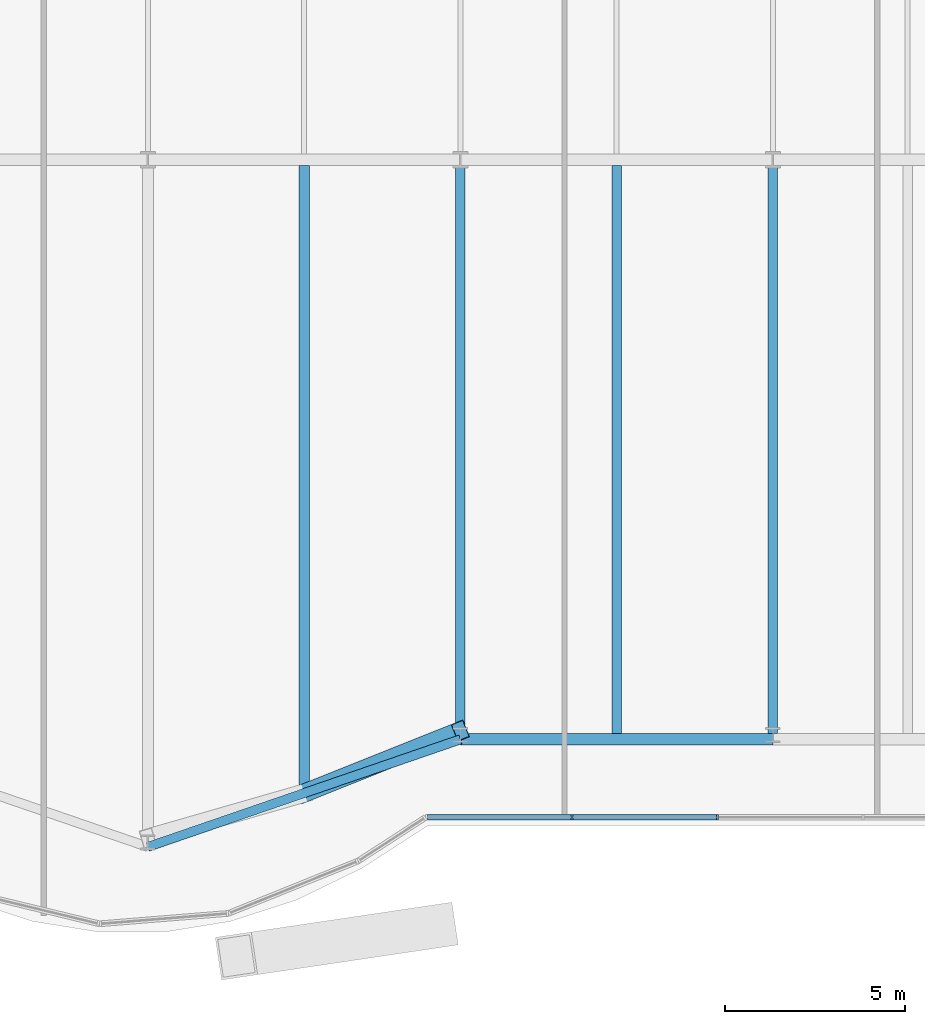
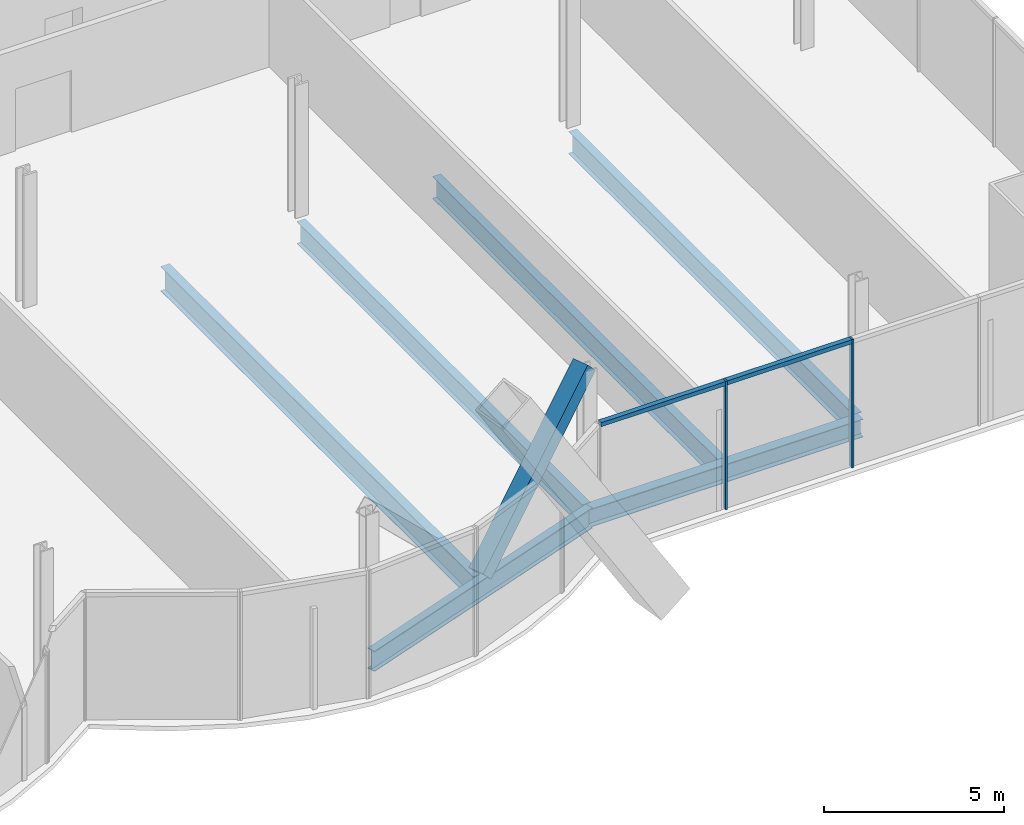
# One storey, part 9 of 23: 6 beams, 5 members, 1 element without a shape of its own.
"""IFC4 building model written with IfcOpenShell, lengths in metres."""

import ifcopenshell
import ifcopenshell.guid

model = None  # the IFC model being written
_history = None  # IfcOwnerHistory: only IFC2X3 demands one
_inside = {}  # id of a spatial element -> (the spatial element, [elements in it])
_under = {}  # id of a project, library or spatial element -> (it, [spatial elements below it])
_declared = {}  # id of a project -> (the project, [libraries it declares])
_typed = {}  # id of a type object -> (the type object, [elements of that type])
_made_of = {}  # id of a material, layer set ... -> (it, [elements and type objects made of it])


def new_model(schema):
    """Start an empty IFC model of exactly this schema.

    Asked for "IFC4X3", IfcOpenShell would pick the latest addendum, in which some entities
    have other attributes; the version numbers below select the first issue.
    IFC2X3 requires an IfcOwnerHistory on every rooted entity: one is made here for all.
    """
    global model, _history
    if schema == "IFC4X3":
        model = ifcopenshell.file(schema_version=(4, 3, 0, 0))
    else:
        model = ifcopenshell.file(schema=schema)
    _inside.clear()
    _under.clear()
    _declared.clear()
    _typed.clear()
    _made_of.clear()
    _history = None
    if model.schema == "IFC2X3":
        org = make("IfcOrganization", Name="unknown")
        user = make(
            "IfcPersonAndOrganization",
            ThePerson=make("IfcPerson", FamilyName="unknown"),
            TheOrganization=org,
        )
        app = make(
            "IfcApplication",
            ApplicationDeveloper=org,
            Version="unknown",
            ApplicationFullName="unknown",
            ApplicationIdentifier="unknown",
        )
        _history = make(
            "IfcOwnerHistory",
            OwningUser=user,
            OwningApplication=app,
            ChangeAction="ADDED",
            CreationDate=0,
        )
    return model


def make(cls, **values):
    """One entity of the class cls with the attributes given. An attribute that is None is left unset."""
    return model.create_entity(
        cls, **{name: value for name, value in values.items() if value is not None}
    )


def rooted(cls, **values):
    """An entity with a GlobalId (a new one), such as an element, a storey or a relation."""
    return make(cls, GlobalId=ifcopenshell.guid.new(), OwnerHistory=_history, **values)


def si_unit(unit_type, name, prefix=None):
    """IfcSIUnit, for example si_unit("LENGTHUNIT", "METRE", prefix="MILLI")."""
    return make("IfcSIUnit", UnitType=unit_type, Prefix=prefix, Name=name)


def assignment(units):
    """IfcUnitAssignment: the units of a project."""
    return None if units is None else make("IfcUnitAssignment", Units=units)


def point(xyz):
    """IfcCartesianPoint."""
    return None if xyz is None else make("IfcCartesianPoint", Coordinates=xyz)


def direction(xyz):
    """IfcDirection."""
    return None if xyz is None else make("IfcDirection", DirectionRatios=xyz)


def frame(location, z_axis=None, x_axis=None):
    """IfcAxis2Placement3D, a coordinate frame: its origin and axes. An axis left out is left unset."""
    return make(
        "IfcAxis2Placement3D",
        Location=point(location),
        Axis=direction(z_axis),
        RefDirection=direction(x_axis),
    )


def frame_2d(location, x_axis=None):
    """IfcAxis2Placement2D, a coordinate frame in the plane: its origin and x axis."""
    return make(
        "IfcAxis2Placement2D", Location=point(location), RefDirection=direction(x_axis)
    )


def origin():
    """The frame at (0, 0, 0) with its axes left unset."""
    return frame((0.0, 0.0, 0.0))


def origin_2d():
    """The frame at (0, 0) in the plane with its x axis left unset."""
    return frame_2d((0.0, 0.0))


def place(relative_to, where):
    """IfcLocalPlacement: puts the frame where relative to a parent placement (None: the world)."""
    return make(
        "IfcLocalPlacement", PlacementRelTo=relative_to, RelativePlacement=where
    )


def context(
    kind, dimensions, precision=None, world=None, true_north=None, identifier=None
):
    """IfcGeometricRepresentationContext, for example the 3D "Model" context."""
    return make(
        "IfcGeometricRepresentationContext",
        ContextIdentifier=identifier,
        ContextType=kind,
        CoordinateSpaceDimension=dimensions,
        Precision=precision,
        WorldCoordinateSystem=world,
        TrueNorth=true_north,
    )


def subcontext(parent, identifier, kind, view, scale=None):
    """IfcGeometricRepresentationSubContext, for example "Body" below "Model"."""
    return make(
        "IfcGeometricRepresentationSubContext",
        ContextIdentifier=identifier,
        ContextType=kind,
        ParentContext=parent,
        TargetScale=scale,
        TargetView=view,
    )


def project(units=None, contexts=None):
    """IfcProject with its units and contexts."""
    return rooted(
        "IfcProject",
        Name="project",
        RepresentationContexts=contexts,
        UnitsInContext=assignment(units),
    )


def spatial(cls, under=None, at=None, **own):
    """A site, building, storey or space (cls), placed at a placement, below another one or the project."""
    s = rooted(cls, ObjectPlacement=at, **own)
    if under is not None:
        _under.setdefault(under.id(), (under, []))[1].append(s)
    return s


def profile(cls, at=None, kind="AREA", **sizes):
    """A parametric profile (cls). Its sizes go by their IFC names, for example OverallWidth=200.0."""
    return make(cls, ProfileType=kind, Position=at, **sizes)


def rectangle(**sizes):
    """IfcRectangleProfileDef."""
    return profile("IfcRectangleProfileDef", **sizes)


def hollow_rectangle(**sizes):
    """IfcRectangleHollowProfileDef."""
    return profile("IfcRectangleHollowProfileDef", **sizes)


def i_section(**sizes):
    """IfcIShapeProfileDef."""
    return profile("IfcIShapeProfileDef", **sizes)


def extrude(swept, where, along, depth):
    """IfcExtrudedAreaSolid: the profile swept, set in the frame where, extruded along a direction by depth."""
    return make(
        "IfcExtrudedAreaSolid",
        SweptArea=swept,
        Position=where,
        ExtrudedDirection=direction(along),
        Depth=depth,
    )


def shape(context_of_items, identifier, shape_type, items):
    """IfcShapeRepresentation: the items that make up one representation, for example the "Body"."""
    return make(
        "IfcShapeRepresentation",
        ContextOfItems=context_of_items,
        RepresentationIdentifier=identifier,
        RepresentationType=shape_type,
        Items=items,
    )


def material(Name=None, Category=None):
    """IfcMaterial."""
    return make("IfcMaterial", Name=Name, Category=Category)


def material_profile(
    of_material, cross_section, Name=None, Category=None, Priority=None
):
    """IfcMaterialProfile: a cross section and its material."""
    return make(
        "IfcMaterialProfile",
        Name=Name,
        Material=of_material,
        Profile=cross_section,
        Priority=Priority,
        Category=Category,
    )


def profile_set(profiles, Name=None, composite=None):
    """IfcMaterialProfileSet."""
    return make(
        "IfcMaterialProfileSet",
        Name=Name,
        MaterialProfiles=profiles,
        CompositeProfile=composite,
    )


def made_of(thing, what):
    """Note that an element or type object is made of a material, layer set ...; save() writes the relation."""
    if what is not None:
        _made_of.setdefault(what.id(), (what, []))[1].append(thing)
    return thing


def type_object(cls, material=None, **own):
    """A type object (cls), such as IfcWallType, which elements share."""
    return made_of(rooted(cls, **own), material)


def element(
    cls,
    number,
    at=None,
    inside=None,
    cuts=None,
    type_object=None,
    material=None,
    context=None,
    identifier="Body",
    shape_type=None,
    held_by="IfcProductDefinitionShape",
    body=None,
    shapes=None,
    **own,
):
    """One element of the class cls, such as IfcWall. Its Tag is "e" and its number.

    at: its placement. inside: the storey or other place that contains it. cuts: it is an
    opening in that element (IfcRelVoidsElement). A single representation is given by context,
    identifier, shape_type and body (its items); several are given by shapes. held_by: the class
    of the entity that holds the representations. save() writes the other relations.
    """
    e = rooted(cls, Tag="e%d" % number, ObjectPlacement=at, **own)
    if body is not None:
        shapes = [shape(context, identifier, shape_type, body)]
    if shapes is not None:
        e.Representation = make(held_by, Representations=shapes)
    if inside is not None:
        _inside.setdefault(inside.id(), (inside, []))[1].append(e)
    if cuts is not None:
        rooted(
            "IfcRelVoidsElement", RelatingBuildingElement=cuts, RelatedOpeningElement=e
        )
    if type_object is not None:
        _typed.setdefault(type_object.id(), (type_object, []))[1].append(e)
    return made_of(e, material)


def aggregate(whole, parts):
    """IfcRelAggregates: a whole, such as a stair, and the parts it consists of."""
    return rooted("IfcRelAggregates", RelatingObject=whole, RelatedObjects=parts)


def save(model, path):
    """Write the relations noted so far, then the file.

    IfcRelAggregates (storeys below a building ...), IfcRelContainedInSpatialStructure (elements
    in a storey), IfcRelDefinesByType, IfcRelAssociatesMaterial and IfcRelDeclares: one each for
    every whole, place, type object, material and project.
    """
    for whole, parts in _under.values():
        aggregate(whole, parts)
    for where, things in _inside.values():
        rooted(
            "IfcRelContainedInSpatialStructure",
            RelatedElements=things,
            RelatingStructure=where,
        )
    for kind, things in _typed.values():
        rooted("IfcRelDefinesByType", RelatedObjects=things, RelatingType=kind)
    for what, things in _made_of.values():
        rooted("IfcRelAssociatesMaterial", RelatedObjects=things, RelatingMaterial=what)
    for by, libraries in _declared.values():
        rooted("IfcRelDeclares", RelatingContext=by, RelatedDefinitions=libraries)
    model.write(path)


model = new_model("IFC4")

# Units and contexts
model_context = context("Model", 3, precision=1e-05, world=origin(), true_north=direction((0.0, 1.0)))
body_context = subcontext(model_context, "Body", "Model", "MODEL_VIEW")
ifc_project = project(units=[si_unit("LENGTHUNIT", "METRE"), si_unit("AREAUNIT", "SQUARE_METRE"), si_unit("VOLUMEUNIT", "CUBIC_METRE"), si_unit("PLANEANGLEUNIT", "RADIAN"), si_unit("MASSUNIT", "GRAM", prefix="KILO")], contexts=[model_context])

# Site, building, storey
site_placement = place(None, origin())
site = spatial("IfcSite", under=ifc_project, at=site_placement, CompositionType="ELEMENT")
building_placement = place(site_placement, origin())
building = spatial("IfcBuilding", under=site, at=building_placement, Name="Bicima Exchange Tower", CompositionType="ELEMENT")
storey_placement = place(building_placement, frame((0.0, 0.0, 62.0)))
storey = spatial("IfcBuildingStorey", under=building, at=storey_placement, Name="L12", CompositionType="ELEMENT", Elevation=62.0)

# Beams
ifc_material_1 = material(Name="Steel ASTM A992 Gr 50", Category="steel")
ifc_material_profile_1 = material_profile(ifc_material_1, i_section(OverallWidth=0.2666015625, OverallDepth=0.75439453125, WebThickness=0.01318359375, FlangeThickness=0.01708984375, at=origin_2d()))
ifc_profile_set_1 = profile_set([ifc_material_profile_1], Name="Steel ASTM A992 Gr 50")
beam_type_1 = type_object("IfcBeamType", Name="Floor beam W30x99", PredefinedType="JOIST", material=ifc_profile_set_1)
beam_1_placement = place(storey_placement, frame((17.39990234375, -22.16259765625, -0.527099609375), z_axis=(0.0, -1.0, 0.0), x_axis=(1.0, 0.0, 0.0)))
element("IfcBeam", 1, at=beam_1_placement, inside=storey, type_object=beam_type_1, Name="Floor beam", PredefinedType="JOIST", context=body_context, shape_type="SweptSolid", body=[
    extrude(i_section(OverallWidth=0.2666015625, OverallDepth=0.75439453125, WebThickness=0.01318359375, FlangeThickness=0.01708984375, at=origin_2d()), origin(), (0.0, 0.0, 1.0), 15.837890625),
])
for number, where, z_axis, x_axis, name in (
    (2, (21.75, -22.16259765625, -0.527099609375), (0.0, -1.0, 0.0), (1.0, 0.0, 0.0), "Floor beam"),
    (3, (26.10009765625, -22.16259765625, -0.527099609375), (0.0, -1.0, 0.0), (1.0, 0.0, 0.0), "Floor beam"),
):
    element("IfcBeam", number, at=place(storey_placement, frame(where, z_axis=z_axis, x_axis=x_axis)), inside=storey, type_object=beam_type_1, Name=name, PredefinedType="JOIST", context=body_context, shape_type="SweptSolid", body=[
        extrude(i_section(OverallWidth=0.2666015625, OverallDepth=0.75439453125, WebThickness=0.01318359375, FlangeThickness=0.01708984375, at=origin_2d()), origin(), (0.0, 0.0, 1.0), 15.810791015625),
    ])
ifc_material_profile_2 = material_profile(ifc_material_1, i_section(OverallWidth=0.2919921875, OverallDepth=0.835693359375, WebThickness=0.013916015625, FlangeThickness=0.018798828125, at=origin_2d()))
ifc_profile_set_2 = profile_set([ifc_material_profile_2], Name="Steel ASTM A992 Gr 50")
beam_type_2 = type_object("IfcBeamType", Name="Floor beam W33x118", PredefinedType="JOIST", material=ifc_profile_set_2)
beam_2_placement = place(storey_placement, frame((13.050048828125, -22.16259765625, -0.56787109375), z_axis=(0.0, -1.0, 0.0), x_axis=(1.0, 0.0, 0.0)))
element("IfcBeam", 4, at=beam_2_placement, inside=storey, type_object=beam_type_2, Name="Floor beam", PredefinedType="JOIST", context=body_context, shape_type="SweptSolid", body=[
    extrude(i_section(OverallWidth=0.2919921875, OverallDepth=0.835693359375, WebThickness=0.013916015625, FlangeThickness=0.018798828125, at=origin_2d()), origin(), (0.0, 0.0, 1.0), 17.333251953125),
])
ifc_material_profile_3 = material_profile(ifc_material_1, i_section(OverallWidth=0.3251953125, OverallDepth=0.612060546875, WebThickness=0.0126953125, FlangeThickness=0.01904296875, at=origin_2d()))
ifc_profile_set_3 = profile_set([ifc_material_profile_3], Name="Steel ASTM A992 Gr 50")
beam_type_3 = type_object("IfcBeamType", Name="Front girder W24x104", PredefinedType="BEAM", material=ifc_profile_set_3)
beam_3_placement = place(storey_placement, frame((17.39990234375, -38.135986328125, -0.4560546875), z_axis=(1.0, 0.0, 0.0), x_axis=(0.0, 1.0, 0.0)))
element("IfcBeam", 5, at=beam_3_placement, inside=storey, type_object=beam_type_3, Name="Front girder", PredefinedType="BEAM", context=body_context, shape_type="SweptSolid", body=[
    extrude(i_section(OverallWidth=0.3251953125, OverallDepth=0.612060546875, WebThickness=0.0126953125, FlangeThickness=0.01904296875, at=origin_2d()), origin(), (0.0, 0.0, 1.0), 8.7001953125),
])
ifc_material_profile_4 = material_profile(ifc_material_1, i_section(OverallWidth=0.256591796875, OverallDepth=0.693359375, WebThickness=0.014404296875, FlangeThickness=0.023681640625, at=origin_2d()))
ifc_profile_set_4 = profile_set([ifc_material_profile_4], Name="Steel ASTM A992 Gr 50")
beam_type_4 = type_object("IfcBeamType", Name="Front girder W27x114", PredefinedType="BEAM", material=ifc_profile_set_4)
beam_4_placement = place(storey_placement, frame((8.699951171875, -41.127197265625, -0.49658203125), z_axis=(0.945666456746, 0.325138359143, 0.0), x_axis=(-0.325138359143, 0.945666456746, 0.0)))
element("IfcBeam", 6, at=beam_4_placement, inside=storey, type_object=beam_type_4, Name="Front girder", PredefinedType="BEAM", context=body_context, shape_type="SweptSolid", body=[
    extrude(i_section(OverallWidth=0.256591796875, OverallDepth=0.693359375, WebThickness=0.014404296875, FlangeThickness=0.023681640625, at=origin_2d()), origin(), (0.0, 0.0, 1.0), 9.19970703125),
])

# Curtain wall, members
ifc_material_2 = material(Name="Anodised bronze aluminium", Category="aluminium")
curtain_wall_type = type_object("IfcCurtainWallType", Name="Front glass wall", PredefinedType="NOTDEFINED", material=ifc_material_2)
curtain_wall_placement = place(storey_placement, origin())
curtain_wall = element("IfcCurtainWall", 7, at=curtain_wall_placement, inside=storey, type_object=curtain_wall_type, Name="Front glass wall L12 run 16", PredefinedType="NOTDEFINED")
ifc_material_profile_5 = material_profile(ifc_material_2, rectangle(XDim=0.159912109375, YDim=0.06005859375, at=origin_2d()))
ifc_profile_set_5 = profile_set([ifc_material_profile_5], Name="Anodised bronze aluminium")
member_type_1 = type_object("IfcMemberType", Name="Front glass wall mullion 60 x 160", PredefinedType="MULLION", material=ifc_profile_set_5)
member_1_placement = place(storey_placement, frame((20.51171875, -40.305908203125, 0.0), z_axis=(0.0, 0.0, 1.0), x_axis=(0.0, 1.0, 0.0)))
member_1 = element("IfcMember", 8, at=member_1_placement, type_object=member_type_1, Name="Front glass wall mullion 2", PredefinedType="MULLION", context=body_context, shape_type="SweptSolid", body=[
    extrude(rectangle(XDim=0.159912109375, YDim=0.06005859375, at=origin_2d()), origin(), (0.0, 0.0, 1.0), 4.35009765625),
])
member_2_placement = place(storey_placement, frame((24.56103515625, -40.305908203125, 0.0), z_axis=(0.0, 0.0, 1.0), x_axis=(0.0, 1.0, 0.0)))
member_2 = element("IfcMember", 9, at=member_2_placement, type_object=member_type_1, Name="Front glass wall mullion 3", PredefinedType="MULLION", context=body_context, shape_type="SweptSolid", body=[
    extrude(rectangle(XDim=0.159912109375, YDim=0.06005859375, at=origin_2d()), origin(), (0.0, 0.0, 1.0), 4.35009765625),
])
ifc_material_profile_6 = material_profile(ifc_material_2, rectangle(XDim=0.159912109375, YDim=0.139892578125, at=origin_2d()))
ifc_profile_set_6 = profile_set([ifc_material_profile_6], Name="Anodised bronze aluminium")
member_type_2 = type_object("IfcMemberType", Name="Front glass wall transom 140 x 160", PredefinedType="USERDEFINED", material=ifc_profile_set_6)
member_3_placement = place(storey_placement, frame((16.4921875, -40.305908203125, 4.280029296875), z_axis=(1.0, 0.0, 0.0), x_axis=(0.0, 1.0, 0.0)))
member_3 = element("IfcMember", 10, at=member_3_placement, type_object=member_type_2, Name="Front glass wall transom 1.1", ObjectType="TRANSOM", PredefinedType="USERDEFINED", context=body_context, shape_type="SweptSolid", body=[
    extrude(rectangle(XDim=0.159912109375, YDim=0.139892578125, at=origin_2d()), origin(), (0.0, 0.0, 1.0), 3.989501953125),
])
member_4_placement = place(storey_placement, frame((20.54150390625, -40.305908203125, 4.280029296875), z_axis=(1.0, 0.0, 0.0), x_axis=(0.0, 1.0, 0.0)))
member_4 = element("IfcMember", 11, at=member_4_placement, type_object=member_type_2, Name="Front glass wall transom 2.1", ObjectType="TRANSOM", PredefinedType="USERDEFINED", context=body_context, shape_type="SweptSolid", body=[
    extrude(rectangle(XDim=0.159912109375, YDim=0.139892578125, at=origin_2d()), origin(), (0.0, 0.0, 1.0), 3.989501953125),
])
aggregate(curtain_wall, [member_1, member_2, member_3, member_4])

# Member
ifc_material_3 = material(Name="Steel ASTM A572 Gr 50", Category="steel")
ifc_material_profile_7 = material_profile(ifc_material_3, hollow_rectangle(XDim=0.508056640625, YDim=0.508056640625, WallThickness=0.017822265625, at=origin_2d()))
ifc_profile_set_7 = profile_set([ifc_material_profile_7], Name="Steel ASTM A572 Gr 50")
member_type_3 = type_object("IfcMemberType", Name="Mega brace HSS20x20x3/4", PredefinedType="BRACE", material=ifc_profile_set_7)
member_5_placement = place(storey_placement, frame((13.050048828125, -39.631591796875, 0.0), z_axis=(0.669627633412, 0.267783402821, 0.692741569234), x_axis=(-0.371309808925, 0.928509033772, 0.0)))
element("IfcMember", 12, at=member_5_placement, inside=storey, type_object=member_type_3, Name="Mega brace front", PredefinedType="BRACE", context=body_context, shape_type="SweptSolid", body=[
    extrude(hollow_rectangle(XDim=0.508056640625, YDim=0.508056640625, WallThickness=0.017822265625, at=origin_2d()), origin(), (0.0, 0.0, 1.0), 6.495849609375),
])

save(model, "model.ifc")
